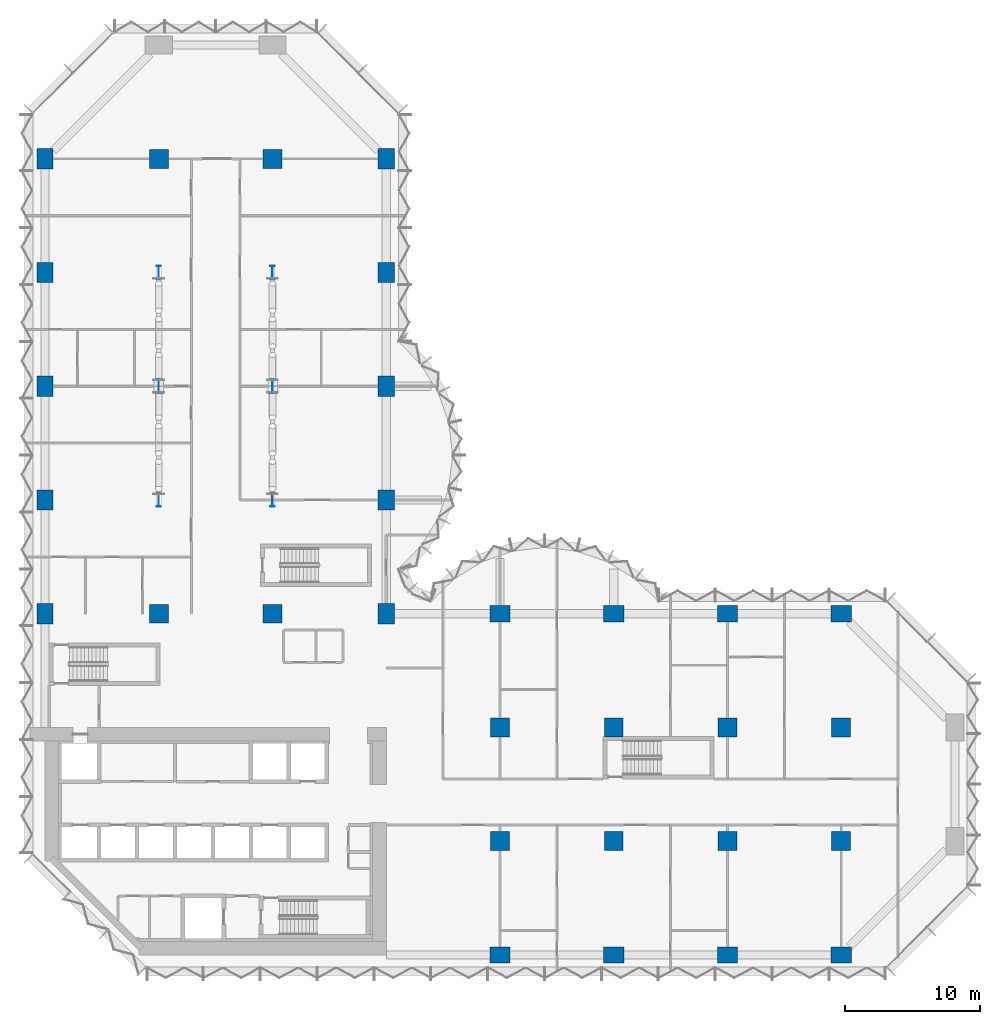
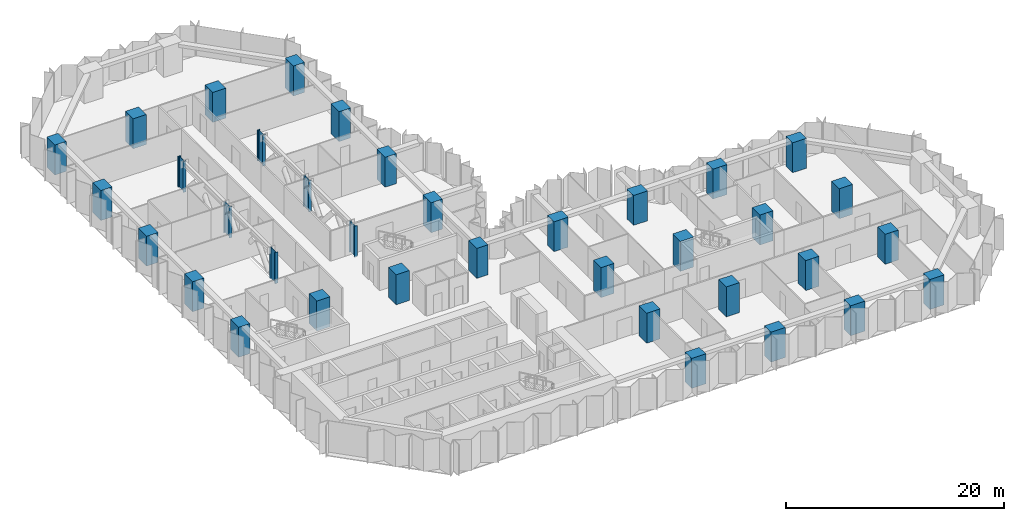
# One storey, part 1 of 18: 36 columns.
"""IFC4 building model written with IfcOpenShell, lengths in metres."""

from ifc_helpers import new_model, si_unit, direction, frame, origin, origin_2d, place, context, subcontext, project, spatial, rectangle, i_section, extrude, material, material_profile, profile_set, type_object, element, save


model = new_model("IFC4")

# Units and contexts
model_context = context("Model", 3, precision=1e-05, world=origin(), true_north=direction((0.0, 1.0)))
body_context = subcontext(model_context, "Body", "Model", "MODEL_VIEW")
ifc_project = project(units=[si_unit("LENGTHUNIT", "METRE"), si_unit("AREAUNIT", "SQUARE_METRE"), si_unit("VOLUMEUNIT", "CUBIC_METRE"), si_unit("PLANEANGLEUNIT", "RADIAN"), si_unit("MASSUNIT", "GRAM", prefix="KILO")], contexts=[model_context])

# Site, building, storey
site_placement = place(None, origin())
site = spatial("IfcSite", under=ifc_project, at=site_placement, CompositionType="ELEMENT")
building_placement = place(site_placement, origin())
building = spatial("IfcBuilding", under=site, at=building_placement, Name="Brevane Broadcast Tower", CompositionType="ELEMENT")
storey_placement = place(building_placement, frame((0.0, 0.0, 40.10009765625)))
storey = spatial("IfcBuildingStorey", under=building, at=storey_placement, Name="L07", CompositionType="ELEMENT", Elevation=40.10009765625)

# Columns
ifc_material_1 = material(Name="Concrete C80/95", Category="concrete")
ifc_material_profile_1 = material_profile(ifc_material_1, rectangle(XDim=1.199951171875, YDim=1.5, at=origin_2d()), Name="RC 1200x1500")
ifc_profile_set_1 = profile_set([ifc_material_profile_1], Name="Concrete C80/95")
column_type_1 = type_object("IfcColumnType", Name="RC COLUMN EDGE 1200x1500 C80/95", PredefinedType="COLUMN", material=ifc_profile_set_1)
for number, where, z_axis, x_axis, name in (
    (1, (0.0, 25.199951171875, 0.0), (0.0, 0.0, 1.0), (1.0, 0.0, 0.0), "CE5 1/D"),
    (2, (0.0, 33.60009765625, 0.0), (0.0, 0.0, 1.0), (1.0, 0.0, 0.0), "CE5 1/E"),
    (3, (0.0, 42.0, 0.0), (0.0, 0.0, 1.0), (1.0, 0.0, 0.0), "CE5 1/F"),
    (4, (0.0, 50.39990234375, 0.0), (0.0, 0.0, 1.0), (1.0, 0.0, 0.0), "CE5 1/G"),
    (5, (0.0, 58.800048828125, 0.0), (0.0, 0.0, 1.0), (1.0, 0.0, 0.0), "CE5 1/H"),
    (6, (25.199951171875, 25.199951171875, 0.0), (0.0, 0.0, 1.0), (1.0, 0.0, 0.0), "CE5 4/D"),
    (7, (25.199951171875, 33.60009765625, 0.0), (0.0, 0.0, 1.0), (1.0, 0.0, 0.0), "CE5 4/E"),
    (8, (25.199951171875, 42.0, 0.0), (0.0, 0.0, 1.0), (1.0, 0.0, 0.0), "CE5 4/F"),
    (9, (25.199951171875, 50.39990234375, 0.0), (0.0, 0.0, 1.0), (1.0, 0.0, 0.0), "CE5 4/G"),
    (10, (25.199951171875, 58.800048828125, 0.0), (0.0, 0.0, 1.0), (1.0, 0.0, 0.0), "CE5 4/H"),
    (11, (33.60009765625, 0.0, 0.0), (0.0, 0.0, 1.0), (0.0, 1.0, 0.0), "CE5 5/A"),
    (12, (33.60009765625, 25.199951171875, 0.0), (0.0, 0.0, 1.0), (0.0, 1.0, 0.0), "CE5 5/D"),
    (13, (42.0, 0.0, 0.0), (0.0, 0.0, 1.0), (0.0, 1.0, 0.0), "CE5 6/A"),
    (14, (42.0, 25.199951171875, 0.0), (0.0, 0.0, 1.0), (0.0, 1.0, 0.0), "CE5 6/D"),
    (15, (50.39990234375, 0.0, 0.0), (0.0, 0.0, 1.0), (0.0, 1.0, 0.0), "CE5 7/A"),
    (16, (50.39990234375, 25.199951171875, 0.0), (0.0, 0.0, 1.0), (0.0, 1.0, 0.0), "CE5 7/D"),
    (17, (58.800048828125, 0.0, 0.0), (0.0, 0.0, 1.0), (0.0, 1.0, 0.0), "CE5 8/A"),
    (18, (58.800048828125, 25.199951171875, 0.0), (0.0, 0.0, 1.0), (0.0, 1.0, 0.0), "CE5 8/D"),
):
    element("IfcColumn", number, at=place(storey_placement, frame(where, z_axis=z_axis, x_axis=x_axis)), inside=storey, type_object=column_type_1, Name=name, PredefinedType="COLUMN", context=body_context, shape_type="SweptSolid", body=[
        extrude(rectangle(XDim=1.199951171875, YDim=1.5, at=origin_2d()), origin(), (0.0, 0.0, 1.0), 3.349853515625),
    ])
ifc_material_profile_2 = material_profile(ifc_material_1, rectangle(XDim=1.39990234375, YDim=1.39990234375, at=origin_2d()), Name="RC 1400x1400")
ifc_profile_set_2 = profile_set([ifc_material_profile_2], Name="Concrete C80/95")
column_type_2 = type_object("IfcColumnType", Name="RC COLUMN INTERIOR 1400x1400 C80/95", PredefinedType="COLUMN", material=ifc_profile_set_2)
for number, where, z_axis, x_axis, name in (
    (19, (8.39990234375, 25.199951171875, 0.0), (0.0, 0.0, 1.0), (1.0, 0.0, 0.0), "CI6 2/D"),
    (20, (8.39990234375, 58.800048828125, 0.0), (0.0, 0.0, 1.0), (1.0, 0.0, 0.0), "CI6 2/H"),
    (21, (16.800048828125, 25.199951171875, 0.0), (0.0, 0.0, 1.0), (1.0, 0.0, 0.0), "CI6 3/D"),
    (22, (16.800048828125, 58.800048828125, 0.0), (0.0, 0.0, 1.0), (1.0, 0.0, 0.0), "CI6 3/H"),
    (23, (33.60009765625, 8.39990234375, 0.0), (0.0, 0.0, 1.0), (1.0, 0.0, 0.0), "CI6 5/B"),
    (24, (33.60009765625, 16.800048828125, 0.0), (0.0, 0.0, 1.0), (1.0, 0.0, 0.0), "CI6 5/C"),
    (25, (42.0, 8.39990234375, 0.0), (0.0, 0.0, 1.0), (1.0, 0.0, 0.0), "CI6 6/B"),
    (26, (42.0, 16.800048828125, 0.0), (0.0, 0.0, 1.0), (1.0, 0.0, 0.0), "CI6 6/C"),
    (27, (50.39990234375, 8.39990234375, 0.0), (0.0, 0.0, 1.0), (1.0, 0.0, 0.0), "CI6 7/B"),
    (28, (50.39990234375, 16.800048828125, 0.0), (0.0, 0.0, 1.0), (1.0, 0.0, 0.0), "CI6 7/C"),
    (29, (58.800048828125, 8.39990234375, 0.0), (0.0, 0.0, 1.0), (1.0, 0.0, 0.0), "CI6 8/B"),
    (30, (58.800048828125, 16.800048828125, 0.0), (0.0, 0.0, 1.0), (1.0, 0.0, 0.0), "CI6 8/C"),
):
    element("IfcColumn", number, at=place(storey_placement, frame(where, z_axis=z_axis, x_axis=x_axis)), inside=storey, type_object=column_type_2, Name=name, PredefinedType="COLUMN", context=body_context, shape_type="SweptSolid", body=[
        extrude(rectangle(XDim=1.39990234375, YDim=1.39990234375, at=origin_2d()), origin(), (0.0, 0.0, 1.0), 3.349853515625),
    ])
ifc_material_2 = material(Name="Steel S355", Category="steel")
ifc_material_profile_3 = material_profile(ifc_material_2, i_section(OverallWidth=0.302001953125, OverallDepth=1.008056640625, WebThickness=0.02099609375, FlangeThickness=0.0400390625, FilletRadius=0.030029296875, at=origin_2d()), Name="HE 1000 M")
ifc_profile_set_3 = profile_set([ifc_material_profile_3], Name="Steel S355")
column_type_3 = type_object("IfcColumnType", Name="STEEL TRUSS END POST HE 1000 M S355", PredefinedType="COLUMN", material=ifc_profile_set_3)
for number, where, z_axis, x_axis, name in (
    (31, (8.39990234375, 33.60009765625, -0.125), (0.0, 0.0, 1.0), (1.0, 0.0, 0.0), "TP1 1-1"),
    (32, (8.39990234375, 50.39990234375, -0.125), (0.0, 0.0, 1.0), (1.0, 0.0, 0.0), "TP1 1-2"),
    (33, (16.800048828125, 33.60009765625, -0.125), (0.0, 0.0, 1.0), (1.0, 0.0, 0.0), "TP1 2-1"),
    (34, (16.800048828125, 50.39990234375, -0.125), (0.0, 0.0, 1.0), (1.0, 0.0, 0.0), "TP1 2-2"),
    (35, (8.39990234375, 42.0, -0.125), (0.0, 0.0, 1.0), (1.0, 0.0, 0.0), "TP1 1-3"),
    (36, (16.800048828125, 42.0, -0.125), (0.0, 0.0, 1.0), (1.0, 0.0, 0.0), "TP1 2-3"),
):
    element("IfcColumn", number, at=place(storey_placement, frame(where, z_axis=z_axis, x_axis=x_axis)), inside=storey, type_object=column_type_3, Name=name, PredefinedType="COLUMN", context=body_context, shape_type="SweptSolid", body=[
        extrude(i_section(OverallWidth=0.302001953125, OverallDepth=1.008056640625, WebThickness=0.02099609375, FlangeThickness=0.0400390625, FilletRadius=0.030029296875, at=origin_2d()), origin(), (0.0, 0.0, 1.0), 3.474853515625),
    ])

save(model, "model.ifc")
